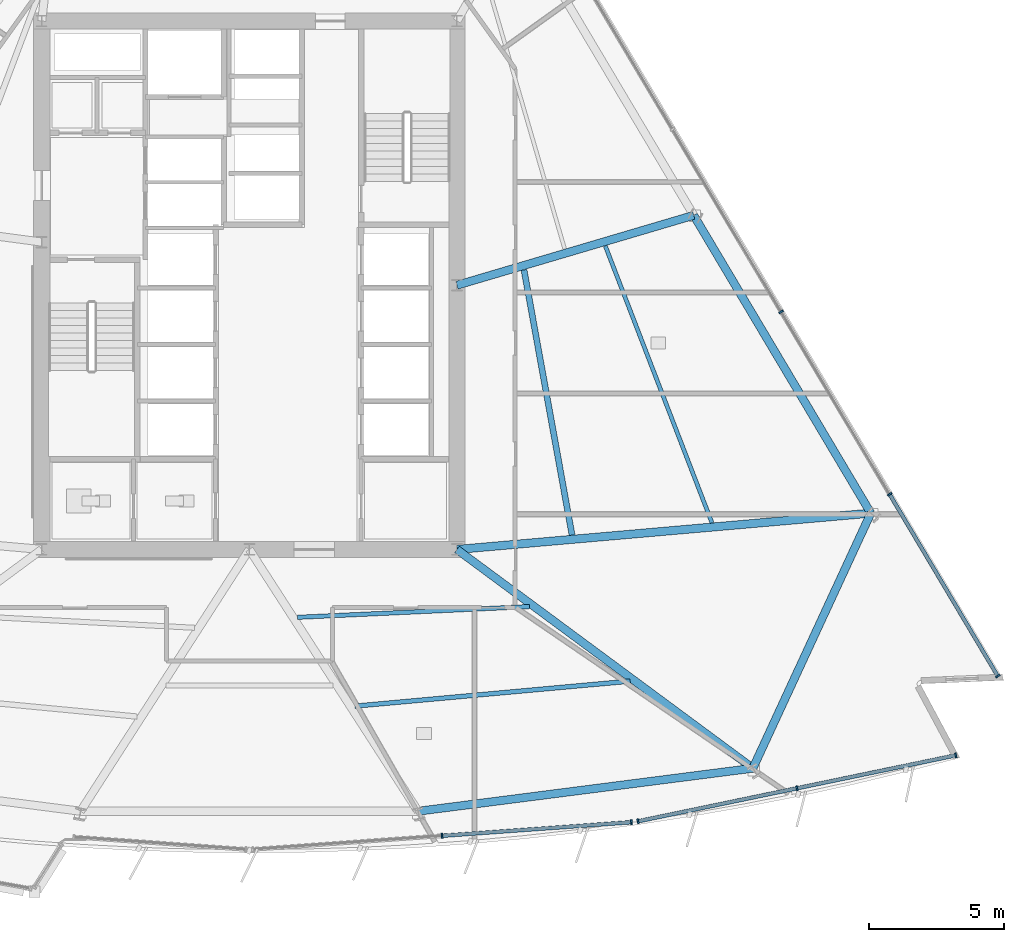
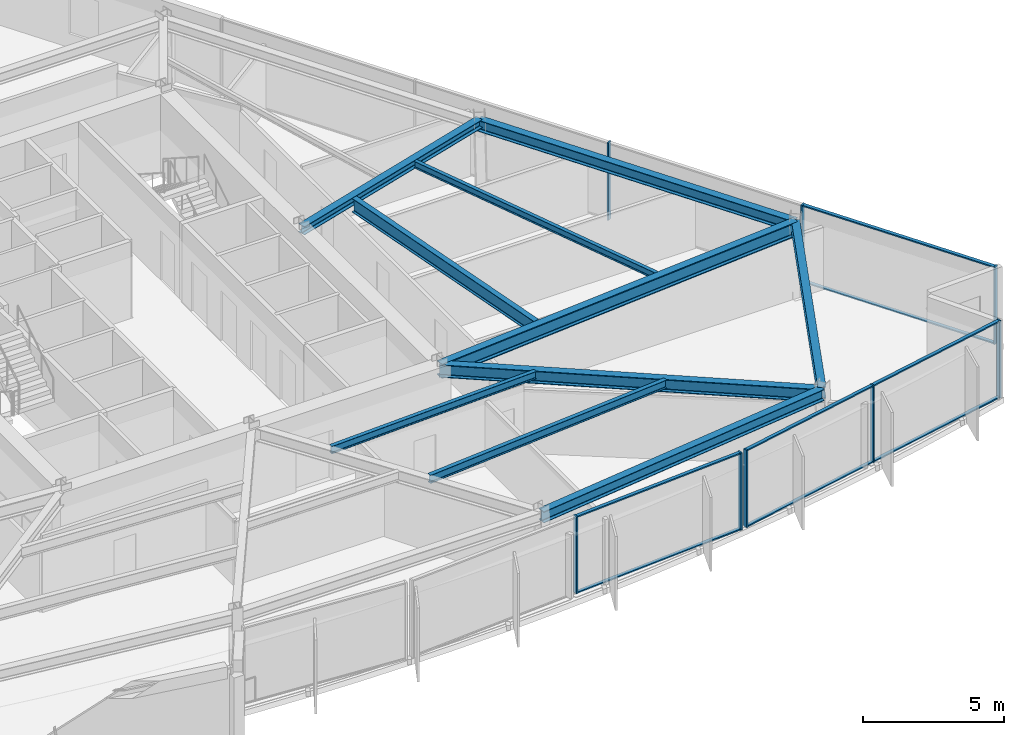
# One storey, part 4 of 15: 16 members, 10 beams, 3 elements without a shape of their own.
"""IFC4 building model written with IfcOpenShell, lengths in metres."""

import ifcopenshell
import ifcopenshell.guid

model = None  # the IFC model being written
_history = None  # IfcOwnerHistory: only IFC2X3 demands one
_inside = {}  # id of a spatial element -> (the spatial element, [elements in it])
_under = {}  # id of a project, library or spatial element -> (it, [spatial elements below it])
_declared = {}  # id of a project -> (the project, [libraries it declares])
_typed = {}  # id of a type object -> (the type object, [elements of that type])
_made_of = {}  # id of a material, layer set ... -> (it, [elements and type objects made of it])


def new_model(schema):
    """Start an empty IFC model of exactly this schema.

    Asked for "IFC4X3", IfcOpenShell would pick the latest addendum, in which some entities
    have other attributes; the version numbers below select the first issue.
    IFC2X3 requires an IfcOwnerHistory on every rooted entity: one is made here for all.
    """
    global model, _history
    if schema == "IFC4X3":
        model = ifcopenshell.file(schema_version=(4, 3, 0, 0))
    else:
        model = ifcopenshell.file(schema=schema)
    _inside.clear()
    _under.clear()
    _declared.clear()
    _typed.clear()
    _made_of.clear()
    _history = None
    if model.schema == "IFC2X3":
        org = make("IfcOrganization", Name="unknown")
        user = make(
            "IfcPersonAndOrganization",
            ThePerson=make("IfcPerson", FamilyName="unknown"),
            TheOrganization=org,
        )
        app = make(
            "IfcApplication",
            ApplicationDeveloper=org,
            Version="unknown",
            ApplicationFullName="unknown",
            ApplicationIdentifier="unknown",
        )
        _history = make(
            "IfcOwnerHistory",
            OwningUser=user,
            OwningApplication=app,
            ChangeAction="ADDED",
            CreationDate=0,
        )
    return model


def make(cls, **values):
    """One entity of the class cls with the attributes given. An attribute that is None is left unset."""
    return model.create_entity(
        cls, **{name: value for name, value in values.items() if value is not None}
    )


def rooted(cls, **values):
    """An entity with a GlobalId (a new one), such as an element, a storey or a relation."""
    return make(cls, GlobalId=ifcopenshell.guid.new(), OwnerHistory=_history, **values)


def si_unit(unit_type, name, prefix=None):
    """IfcSIUnit, for example si_unit("LENGTHUNIT", "METRE", prefix="MILLI")."""
    return make("IfcSIUnit", UnitType=unit_type, Prefix=prefix, Name=name)


def assignment(units):
    """IfcUnitAssignment: the units of a project."""
    return None if units is None else make("IfcUnitAssignment", Units=units)


def point(xyz):
    """IfcCartesianPoint."""
    return None if xyz is None else make("IfcCartesianPoint", Coordinates=xyz)


def direction(xyz):
    """IfcDirection."""
    return None if xyz is None else make("IfcDirection", DirectionRatios=xyz)


def frame(location, z_axis=None, x_axis=None):
    """IfcAxis2Placement3D, a coordinate frame: its origin and axes. An axis left out is left unset."""
    return make(
        "IfcAxis2Placement3D",
        Location=point(location),
        Axis=direction(z_axis),
        RefDirection=direction(x_axis),
    )


def frame_2d(location, x_axis=None):
    """IfcAxis2Placement2D, a coordinate frame in the plane: its origin and x axis."""
    return make(
        "IfcAxis2Placement2D", Location=point(location), RefDirection=direction(x_axis)
    )


def origin():
    """The frame at (0, 0, 0) with its axes left unset."""
    return frame((0.0, 0.0, 0.0))


def origin_2d():
    """The frame at (0, 0) in the plane with its x axis left unset."""
    return frame_2d((0.0, 0.0))


def place(relative_to, where):
    """IfcLocalPlacement: puts the frame where relative to a parent placement (None: the world)."""
    return make(
        "IfcLocalPlacement", PlacementRelTo=relative_to, RelativePlacement=where
    )


def context(
    kind, dimensions, precision=None, world=None, true_north=None, identifier=None
):
    """IfcGeometricRepresentationContext, for example the 3D "Model" context."""
    return make(
        "IfcGeometricRepresentationContext",
        ContextIdentifier=identifier,
        ContextType=kind,
        CoordinateSpaceDimension=dimensions,
        Precision=precision,
        WorldCoordinateSystem=world,
        TrueNorth=true_north,
    )


def subcontext(parent, identifier, kind, view, scale=None):
    """IfcGeometricRepresentationSubContext, for example "Body" below "Model"."""
    return make(
        "IfcGeometricRepresentationSubContext",
        ContextIdentifier=identifier,
        ContextType=kind,
        ParentContext=parent,
        TargetScale=scale,
        TargetView=view,
    )


def project(units=None, contexts=None):
    """IfcProject with its units and contexts."""
    return rooted(
        "IfcProject",
        Name="project",
        RepresentationContexts=contexts,
        UnitsInContext=assignment(units),
    )


def spatial(cls, under=None, at=None, **own):
    """A site, building, storey or space (cls), placed at a placement, below another one or the project."""
    s = rooted(cls, ObjectPlacement=at, **own)
    if under is not None:
        _under.setdefault(under.id(), (under, []))[1].append(s)
    return s


def profile(cls, at=None, kind="AREA", **sizes):
    """A parametric profile (cls). Its sizes go by their IFC names, for example OverallWidth=200.0."""
    return make(cls, ProfileType=kind, Position=at, **sizes)


def rectangle(**sizes):
    """IfcRectangleProfileDef."""
    return profile("IfcRectangleProfileDef", **sizes)


def i_section(**sizes):
    """IfcIShapeProfileDef."""
    return profile("IfcIShapeProfileDef", **sizes)


def extrude(swept, where, along, depth):
    """IfcExtrudedAreaSolid: the profile swept, set in the frame where, extruded along a direction by depth."""
    return make(
        "IfcExtrudedAreaSolid",
        SweptArea=swept,
        Position=where,
        ExtrudedDirection=direction(along),
        Depth=depth,
    )


def shape(context_of_items, identifier, shape_type, items):
    """IfcShapeRepresentation: the items that make up one representation, for example the "Body"."""
    return make(
        "IfcShapeRepresentation",
        ContextOfItems=context_of_items,
        RepresentationIdentifier=identifier,
        RepresentationType=shape_type,
        Items=items,
    )


def material(Name=None, Category=None):
    """IfcMaterial."""
    return make("IfcMaterial", Name=Name, Category=Category)


def material_profile(
    of_material, cross_section, Name=None, Category=None, Priority=None
):
    """IfcMaterialProfile: a cross section and its material."""
    return make(
        "IfcMaterialProfile",
        Name=Name,
        Material=of_material,
        Profile=cross_section,
        Priority=Priority,
        Category=Category,
    )


def profile_set(profiles, Name=None, composite=None):
    """IfcMaterialProfileSet."""
    return make(
        "IfcMaterialProfileSet",
        Name=Name,
        MaterialProfiles=profiles,
        CompositeProfile=composite,
    )


def made_of(thing, what):
    """Note that an element or type object is made of a material, layer set ...; save() writes the relation."""
    if what is not None:
        _made_of.setdefault(what.id(), (what, []))[1].append(thing)
    return thing


def type_object(cls, material=None, **own):
    """A type object (cls), such as IfcWallType, which elements share."""
    return made_of(rooted(cls, **own), material)


def element(
    cls,
    number,
    at=None,
    inside=None,
    cuts=None,
    type_object=None,
    material=None,
    context=None,
    identifier="Body",
    shape_type=None,
    held_by="IfcProductDefinitionShape",
    body=None,
    shapes=None,
    **own,
):
    """One element of the class cls, such as IfcWall. Its Tag is "e" and its number.

    at: its placement. inside: the storey or other place that contains it. cuts: it is an
    opening in that element (IfcRelVoidsElement). A single representation is given by context,
    identifier, shape_type and body (its items); several are given by shapes. held_by: the class
    of the entity that holds the representations. save() writes the other relations.
    """
    e = rooted(cls, Tag="e%d" % number, ObjectPlacement=at, **own)
    if body is not None:
        shapes = [shape(context, identifier, shape_type, body)]
    if shapes is not None:
        e.Representation = make(held_by, Representations=shapes)
    if inside is not None:
        _inside.setdefault(inside.id(), (inside, []))[1].append(e)
    if cuts is not None:
        rooted(
            "IfcRelVoidsElement", RelatingBuildingElement=cuts, RelatedOpeningElement=e
        )
    if type_object is not None:
        _typed.setdefault(type_object.id(), (type_object, []))[1].append(e)
    return made_of(e, material)


def aggregate(whole, parts):
    """IfcRelAggregates: a whole, such as a stair, and the parts it consists of."""
    return rooted("IfcRelAggregates", RelatingObject=whole, RelatedObjects=parts)


def save(model, path):
    """Write the relations noted so far, then the file.

    IfcRelAggregates (storeys below a building ...), IfcRelContainedInSpatialStructure (elements
    in a storey), IfcRelDefinesByType, IfcRelAssociatesMaterial and IfcRelDeclares: one each for
    every whole, place, type object, material and project.
    """
    for whole, parts in _under.values():
        aggregate(whole, parts)
    for where, things in _inside.values():
        rooted(
            "IfcRelContainedInSpatialStructure",
            RelatedElements=things,
            RelatingStructure=where,
        )
    for kind, things in _typed.values():
        rooted("IfcRelDefinesByType", RelatedObjects=things, RelatingType=kind)
    for what, things in _made_of.values():
        rooted("IfcRelAssociatesMaterial", RelatedObjects=things, RelatingMaterial=what)
    for by, libraries in _declared.values():
        rooted("IfcRelDeclares", RelatingContext=by, RelatedDefinitions=libraries)
    model.write(path)


model = new_model("IFC4")

# Units and contexts
model_context = context("Model", 3, precision=1e-05, world=origin(), true_north=direction((0.0, 1.0)))
body_context = subcontext(model_context, "Body", "Model", "MODEL_VIEW")
ifc_project = project(units=[si_unit("LENGTHUNIT", "METRE"), si_unit("AREAUNIT", "SQUARE_METRE"), si_unit("VOLUMEUNIT", "CUBIC_METRE"), si_unit("PLANEANGLEUNIT", "RADIAN"), si_unit("MASSUNIT", "GRAM", prefix="KILO")], contexts=[model_context])

# Site, building, storey
site_placement = place(None, origin())
site = spatial("IfcSite", under=ifc_project, at=site_placement, CompositionType="ELEMENT")
building_placement = place(site_placement, origin())
building = spatial("IfcBuilding", under=site, at=building_placement, Name="Savorim Split Tower", CompositionType="ELEMENT")
storey_placement = place(building_placement, frame((0.0, 0.0, 107.699951171875)))
storey = spatial("IfcBuildingStorey", under=building, at=storey_placement, Name="L28", CompositionType="ELEMENT", Elevation=107.699951171875)

# Beams
ifc_material_1 = material(Name="Steel S355", Category="steel")
ifc_material_profile_1 = material_profile(ifc_material_1, i_section(OverallWidth=0.14990234375, OverallDepth=0.300048828125, WebThickness=0.007080078125, FlangeThickness=0.0107421875, FilletRadius=0.014892578125, at=origin_2d()), Name="IPE 300")
ifc_profile_set_1 = profile_set([ifc_material_profile_1], Name="Steel S355")
beam_type_1 = type_object("IfcBeamType", Name="BM-JST-IPE300", PredefinedType="JOIST", material=ifc_profile_set_1)
beam_1_placement = place(storey_placement, frame((17.15966796875, -8.416015625, 3.199951171875), z_axis=(-0.359439659309, 0.933168329572, 0.0), x_axis=(-0.933168329572, -0.359439659309, 0.0)))
element("IfcBeam", 1, at=beam_1_placement, inside=storey, type_object=beam_type_1, Name="L28 Secondary Floor Joist JS-06", PredefinedType="JOIST", context=body_context, shape_type="SweptSolid", body=[
    extrude(i_section(OverallWidth=0.14990234375, OverallDepth=0.300048828125, WebThickness=0.007080078125, FlangeThickness=0.0107421875, FilletRadius=0.014892578125, at=origin_2d()), origin(), (0.0, 0.0, 1.0), 11.01025390625),
])
ifc_material_profile_2 = material_profile(ifc_material_1, i_section(OverallWidth=0.159912109375, OverallDepth=0.330078125, WebThickness=0.007568359375, FlangeThickness=0.011474609375, FilletRadius=0.01806640625, at=origin_2d()), Name="IPE 330")
ifc_profile_set_2 = profile_set([ifc_material_profile_2], Name="Steel S355")
beam_type_2 = type_object("IfcBeamType", Name="BM-JST-IPE330", PredefinedType="JOIST", material=ifc_profile_set_2)
beam_2_placement = place(storey_placement, frame((1.787109375, -11.916748046875, 3.18505859375), z_axis=(0.998923600347, 0.046385780892, 0.0), x_axis=(-0.046385780892, 0.998923600347, 0.0)))
element("IfcBeam", 2, at=beam_2_placement, inside=storey, type_object=beam_type_2, Name="L28 Secondary Floor Joist JS-05", PredefinedType="JOIST", context=body_context, shape_type="SweptSolid", body=[
    extrude(i_section(OverallWidth=0.159912109375, OverallDepth=0.330078125, WebThickness=0.007568359375, FlangeThickness=0.011474609375, FilletRadius=0.01806640625, at=origin_2d()), origin(), (0.0, 0.0, 1.0), 8.615966796875),
])
ifc_material_profile_3 = material_profile(ifc_material_1, i_section(OverallWidth=0.169921875, OverallDepth=0.360107421875, WebThickness=0.008056640625, FlangeThickness=0.0126953125, FilletRadius=0.01806640625, at=origin_2d()), Name="IPE 360")
ifc_profile_set_3 = profile_set([ifc_material_profile_3], Name="Steel S355")
beam_type_3 = type_object("IfcBeamType", Name="BM-JST-IPE360", PredefinedType="JOIST", material=ifc_profile_set_3)
beam_3_placement = place(storey_placement, frame((3.914794921875, -15.21044921875, 3.170166015625), z_axis=(0.995902179768, 0.090436985433, 0.0), x_axis=(-0.090436985433, 0.995902179768, 0.0)))
element("IfcBeam", 3, at=beam_3_placement, inside=storey, type_object=beam_type_3, Name="L28 Secondary Floor Joist JS-04", PredefinedType="JOIST", context=body_context, shape_type="SweptSolid", body=[
    extrude(i_section(OverallWidth=0.169921875, OverallDepth=0.360107421875, WebThickness=0.008056640625, FlangeThickness=0.0126953125, FilletRadius=0.01806640625, at=origin_2d()), origin(), (0.0, 0.0, 1.0), 10.2529296875),
])
ifc_material_profile_4 = material_profile(ifc_material_1, i_section(OverallWidth=0.219970703125, OverallDepth=0.60009765625, WebThickness=0.011962890625, FlangeThickness=0.01904296875, FilletRadius=0.02392578125, at=origin_2d()), Name="IPE 600")
ifc_profile_set_4 = profile_set([ifc_material_profile_4], Name="Steel S355")
beam_type_4 = type_object("IfcBeamType", Name="BM-JST-IPE600", PredefinedType="JOIST", material=ifc_profile_set_4)
beam_4_placement = place(storey_placement, frame((11.969482421875, -8.86572265625, 3.050048828125), z_axis=(-0.178298552777, 0.983976435733, 0.0), x_axis=(-0.983976435733, -0.178298552777, 0.0)))
element("IfcBeam", 4, at=beam_4_placement, inside=storey, type_object=beam_type_4, Name="L28 Secondary Floor Joist JS-08", PredefinedType="JOIST", context=body_context, shape_type="SweptSolid", body=[
    extrude(i_section(OverallWidth=0.219970703125, OverallDepth=0.60009765625, WebThickness=0.011962890625, FlangeThickness=0.01904296875, FilletRadius=0.02392578125, at=origin_2d()), origin(), (0.0, 0.0, 1.0), 9.994384765625),
])
ifc_material_profile_5 = material_profile(ifc_material_1, i_section(OverallWidth=0.300048828125, OverallDepth=0.360107421875, WebThickness=0.012451171875, FlangeThickness=0.0224609375, FilletRadius=0.027099609375, at=origin_2d()), Name="HEB 360")
ifc_profile_set_5 = profile_set([ifc_material_profile_5], Name="Steel S355")
beam_type_5 = type_object("IfcBeamType", Name="BM-PRI-HEB360", PredefinedType="BEAM", material=ifc_profile_set_5)
beam_5_placement = place(storey_placement, frame((16.481689453125, 2.992919921875, 3.170166015625), z_axis=(-0.959064788728, -0.283186742315, 0.0), x_axis=(0.283186742315, -0.959064788728, 0.0)))
element("IfcBeam", 5, at=beam_5_placement, inside=storey, type_object=beam_type_5, Name="L28 Primary Floor Girder RG-06", PredefinedType="BEAM", context=body_context, shape_type="SweptSolid", body=[
    extrude(i_section(OverallWidth=0.300048828125, OverallDepth=0.360107421875, WebThickness=0.012451171875, FlangeThickness=0.0224609375, FilletRadius=0.027099609375, at=origin_2d()), origin(), (0.0, 0.0, 1.0), 9.156494140625),
])
ifc_material_profile_6 = material_profile(ifc_material_1, i_section(OverallWidth=0.300048828125, OverallDepth=0.550048828125, WebThickness=0.014892578125, FlangeThickness=0.029052734375, FilletRadius=0.027099609375, at=origin_2d()), Name="HEB 550")
ifc_profile_set_6 = profile_set([ifc_material_profile_6], Name="Steel S355")
beam_type_6 = type_object("IfcBeamType", Name="BM-PRI-HEB550", PredefinedType="BEAM", material=ifc_profile_set_6)
beam_6_placement = place(storey_placement, frame((18.675048828125, -17.514404296875, 3.074951171875), z_axis=(-0.804089519027, 0.594508238286, 0.0), x_axis=(-0.594508238286, -0.804089519027, 0.0)))
element("IfcBeam", 6, at=beam_6_placement, inside=storey, type_object=beam_type_6, Name="L28 Primary Floor Girder RG-04", PredefinedType="BEAM", context=body_context, shape_type="SweptSolid", body=[
    extrude(i_section(OverallWidth=0.300048828125, OverallDepth=0.550048828125, WebThickness=0.014892578125, FlangeThickness=0.029052734375, FilletRadius=0.027099609375, at=origin_2d()), origin(), (0.0, 0.0, 1.0), 13.649169921875),
])
ifc_material_2 = material(Name="Steel S460", Category="steel")
ifc_material_profile_7 = material_profile(ifc_material_2, i_section(OverallWidth=0.304931640625, OverallDepth=0.6201171875, WebThickness=0.02099609375, FlangeThickness=0.0400390625, FilletRadius=0.027099609375, at=origin_2d()), Name="HE 600 M")
ifc_profile_set_7 = profile_set([ifc_material_profile_7], Name="Steel S460")
beam_type_7 = type_object("IfcBeamType", Name="BM-PRI-HEM600", PredefinedType="BEAM", material=ifc_profile_set_7)
beam_7_placement = place(storey_placement, frame((23.05029296875, -8.053955078125, 3.0400390625), z_axis=(-0.996177965577, -0.087346785276, 0.0), x_axis=(0.087346785276, -0.996177965577, 0.0)))
element("IfcBeam", 7, at=beam_7_placement, inside=storey, type_object=beam_type_7, Name="L28 Primary Floor Girder RG-05", PredefinedType="BEAM", context=body_context, shape_type="SweptSolid", body=[
    extrude(i_section(OverallWidth=0.304931640625, OverallDepth=0.6201171875, WebThickness=0.02099609375, FlangeThickness=0.0400390625, FilletRadius=0.027099609375, at=origin_2d()), origin(), (0.0, 0.0, 1.0), 15.4091796875),
])
ifc_material_profile_8 = material_profile(ifc_material_1, i_section(OverallWidth=0.300048828125, OverallDepth=0.489990234375, WebThickness=0.011962890625, FlangeThickness=0.02294921875, FilletRadius=0.027099609375, at=origin_2d()), Name="HEA 500")
ifc_profile_set_8 = profile_set([ifc_material_profile_8], Name="Steel S355")
beam_type_8 = type_object("IfcBeamType", Name="BM-SPN-HEA500", PredefinedType="SPANDREL", material=ifc_profile_set_8)
beam_8_placement = place(storey_placement, frame((6.259033203125, -19.1083984375, 3.10498046875), z_axis=(0.991859509756, 0.127337005254, 0.0), x_axis=(-0.127337005254, 0.991859509756, 0.0)))
element("IfcBeam", 8, at=beam_8_placement, inside=storey, type_object=beam_type_8, Name="L28 Perimeter Spandrel Beam 3", PredefinedType="SPANDREL", context=body_context, shape_type="SweptSolid", body=[
    extrude(i_section(OverallWidth=0.300048828125, OverallDepth=0.489990234375, WebThickness=0.011962890625, FlangeThickness=0.02294921875, FilletRadius=0.027099609375, at=origin_2d()), origin(), (0.0, 0.0, 1.0), 12.517822265625),
])
beam_9_placement = place(storey_placement, frame((18.675048828125, -17.514404296875, 3.10498046875), z_axis=(0.419760622793, 0.907634849239, 0.0), x_axis=(-0.907634849239, 0.419760622793, 0.0)))
element("IfcBeam", 9, at=beam_9_placement, inside=storey, type_object=beam_type_8, Name="L28 Perimeter Spandrel Beam 4", PredefinedType="SPANDREL", context=body_context, shape_type="SweptSolid", body=[
    extrude(i_section(OverallWidth=0.300048828125, OverallDepth=0.489990234375, WebThickness=0.011962890625, FlangeThickness=0.02294921875, FilletRadius=0.027099609375, at=origin_2d()), origin(), (0.0, 0.0, 1.0), 10.423095703125),
])
beam_10_placement = place(storey_placement, frame((23.05029296875, -8.053955078125, 3.10498046875), z_axis=(-0.511086392656, 0.859529347516, 0.0), x_axis=(-0.859529347516, -0.511086392656, 0.0)))
element("IfcBeam", 10, at=beam_10_placement, inside=storey, type_object=beam_type_8, Name="L28 Perimeter Spandrel Beam 5", PredefinedType="SPANDREL", context=body_context, shape_type="SweptSolid", body=[
    extrude(i_section(OverallWidth=0.300048828125, OverallDepth=0.489990234375, WebThickness=0.011962890625, FlangeThickness=0.02294921875, FilletRadius=0.027099609375, at=origin_2d()), origin(), (0.0, 0.0, 1.0), 12.852294921875),
])

# Curtain wall, members
ifc_material_3 = material(Name="Dark Ceramic-Fritted Insulated Glass", Category="glass")
curtain_wall_type = type_object("IfcCurtainWallType", Name="CW-TWR-FRIT-A", PredefinedType="NOTDEFINED", material=ifc_material_3)
curtain_wall_1_placement = place(storey_placement, origin())
curtain_wall_1 = element("IfcCurtainWall", 11, at=curtain_wall_1_placement, inside=storey, type_object=curtain_wall_type, Name="L28 Curtain Wall CW-L28-SF3A", PredefinedType="NOTDEFINED")
ifc_material_4 = material(Name="Charcoal Anodised Aluminium", Category="aluminium")
ifc_material_profile_9 = material_profile(ifc_material_4, rectangle(XDim=0.179931640625, YDim=0.06494140625, at=origin_2d()), Name="ALU-M 180x65")
ifc_profile_set_9 = profile_set([ifc_material_profile_9], Name="Charcoal Anodised Aluminium")
member_type_1 = type_object("IfcMemberType", Name="CWM-180x65", PredefinedType="MULLION", material=ifc_profile_set_9)
member_1_placement = place(storey_placement, frame((7.14697265625, -20.018310546875, 0.0), z_axis=(0.0, 0.0, 1.0), x_axis=(-0.071558982453, 0.997436369916, 0.0)))
member_1 = element("IfcMember", 12, at=member_1_placement, type_object=member_type_1, Name="CW-02 mullion 2", PredefinedType="MULLION", context=body_context, shape_type="SweptSolid", body=[
    extrude(rectangle(XDim=0.179931640625, YDim=0.06494140625, at=origin_2d()), origin(), (0.0, 0.0, 1.0), 3.35009765625),
])
member_2_placement = place(storey_placement, frame((14.170166015625, -19.514404296875, 0.0), z_axis=(0.0, 0.0, 1.0), x_axis=(-0.071558982453, 0.997436369916, 0.0)))
member_2 = element("IfcMember", 13, at=member_2_placement, type_object=member_type_1, Name="CW-02 mullion 3", PredefinedType="MULLION", context=body_context, shape_type="SweptSolid", body=[
    extrude(rectangle(XDim=0.179931640625, YDim=0.06494140625, at=origin_2d()), origin(), (0.0, 0.0, 1.0), 3.35009765625),
])

curtain_wall_2_placement = place(storey_placement, origin())
curtain_wall_2 = element("IfcCurtainWall", 14, at=curtain_wall_2_placement, inside=storey, type_object=curtain_wall_type, Name="L28 Curtain Wall CW-L28-SF4A", PredefinedType="NOTDEFINED")
member_3_placement = place(storey_placement, frame((14.416259765625, -19.47998046875, 0.0), z_axis=(0.0, 0.0, 1.0), x_axis=(-0.203216307351, 0.979133868491, 0.0)))
member_3 = element("IfcMember", 15, at=member_3_placement, type_object=member_type_1, Name="CW-02 mullion 1", PredefinedType="MULLION", context=body_context, shape_type="SweptSolid", body=[
    extrude(rectangle(XDim=0.179931640625, YDim=0.06494140625, at=origin_2d()), origin(), (0.0, 0.0, 1.0), 3.35009765625),
])
member_4_placement = place(storey_placement, frame((20.30859375, -18.257080078125, 0.0), z_axis=(0.0, 0.0, 1.0), x_axis=(-0.203216307351, 0.979133868491, 0.0)))
member_4 = element("IfcMember", 16, at=member_4_placement, type_object=member_type_1, Name="CW-02 mullion 2", PredefinedType="MULLION", context=body_context, shape_type="SweptSolid", body=[
    extrude(rectangle(XDim=0.179931640625, YDim=0.06494140625, at=origin_2d()), origin(), (0.0, 0.0, 1.0), 3.35009765625),
])
member_5_placement = place(storey_placement, frame((26.201171875, -17.0341796875, 0.0), z_axis=(0.0, 0.0, 1.0), x_axis=(-0.203216307351, 0.979133868491, 0.0)))
member_5 = element("IfcMember", 17, at=member_5_placement, type_object=member_type_1, Name="CW-02 mullion 3", PredefinedType="MULLION", context=body_context, shape_type="SweptSolid", body=[
    extrude(rectangle(XDim=0.179931640625, YDim=0.06494140625, at=origin_2d()), origin(), (0.0, 0.0, 1.0), 3.35009765625),
])

curtain_wall_3_placement = place(storey_placement, origin())
curtain_wall_3 = element("IfcCurtainWall", 18, at=curtain_wall_3_placement, inside=storey, type_object=curtain_wall_type, Name="L28 Curtain Wall CW-L28-EAST", PredefinedType="NOTDEFINED")
member_6_placement = place(storey_placement, frame((27.75634765625, -14.09765625, 0.0), z_axis=(0.0, 0.0, 1.0), x_axis=(-0.859525409745, -0.51109301502, 0.0)))
member_6 = element("IfcMember", 19, at=member_6_placement, type_object=member_type_1, Name="CW-02 mullion 1", PredefinedType="MULLION", context=body_context, shape_type="SweptSolid", body=[
    extrude(rectangle(XDim=0.179931640625, YDim=0.06494140625, at=origin_2d()), origin(), (0.0, 0.0, 1.0), 3.35009765625),
])
member_7_placement = place(storey_placement, frame((23.748046875, -7.356689453125, 0.0), z_axis=(0.0, 0.0, 1.0), x_axis=(-0.859525409745, -0.51109301502, 0.0)))
member_7 = element("IfcMember", 20, at=member_7_placement, type_object=member_type_1, Name="CW-02 mullion 2", PredefinedType="MULLION", context=body_context, shape_type="SweptSolid", body=[
    extrude(rectangle(XDim=0.179931640625, YDim=0.06494140625, at=origin_2d()), origin(), (0.0, 0.0, 1.0), 3.35009765625),
])
member_8_placement = place(storey_placement, frame((19.72314453125, -0.587890625, 0.0), z_axis=(0.0, 0.0, 1.0), x_axis=(-0.859525409745, -0.51109301502, 0.0)))
member_8 = element("IfcMember", 21, at=member_8_placement, type_object=member_type_1, Name="CW-02 mullion 3", PredefinedType="MULLION", context=body_context, shape_type="SweptSolid", body=[
    extrude(rectangle(XDim=0.179931640625, YDim=0.06494140625, at=origin_2d()), origin(), (0.0, 0.0, 1.0), 3.35009765625),
])

# Member
ifc_material_profile_10 = material_profile(ifc_material_4, rectangle(XDim=0.139892578125, YDim=0.054931640625, at=origin_2d()), Name="ALU-T 140x55")
ifc_profile_set_10 = profile_set([ifc_material_profile_10], Name="Charcoal Anodised Aluminium")
member_type_2 = type_object("IfcMemberType", Name="CWT-140x55", PredefinedType="USERDEFINED", material=ifc_profile_set_10)
member_9_placement = place(storey_placement, frame((7.179443359375, -20.015869140625, 0.027587890625), z_axis=(0.997435910974, 0.071565379199, 0.0), x_axis=(-0.071565379199, 0.997435910974, 0.0)))
member_9 = element("IfcMember", 22, at=member_9_placement, type_object=member_type_2, Name="CW-02 transom 2.1", ObjectType="TRANSOM", PredefinedType="USERDEFINED", context=body_context, shape_type="SweptSolid", body=[
    extrude(rectangle(XDim=0.139892578125, YDim=0.054931640625, at=origin_2d()), origin(), (0.0, 0.0, 1.0), 6.976318359375),
])

member_10_placement = place(storey_placement, frame((7.179443359375, -20.015869140625, 3.322509765625), z_axis=(0.997435910974, 0.071565379199, 0.0), x_axis=(-0.071565379199, 0.997435910974, 0.0)))
member_10 = element("IfcMember", 23, at=member_10_placement, type_object=member_type_2, Name="CW-02 transom 2.2", ObjectType="TRANSOM", PredefinedType="USERDEFINED", context=body_context, shape_type="SweptSolid", body=[
    extrude(rectangle(XDim=0.139892578125, YDim=0.054931640625, at=origin_2d()), origin(), (0.0, 0.0, 1.0), 6.976318359375),
])

aggregate(curtain_wall_1, [member_1, member_2, member_9, member_10])

member_11_placement = place(storey_placement, frame((14.4482421875, -19.473388671875, 0.027587890625), z_axis=(0.979133683494, 0.203217198698, 0.0), x_axis=(-0.203217198698, 0.979133683494, 0.0)))
member_11 = element("IfcMember", 24, at=member_11_placement, type_object=member_type_2, Name="CW-02 transom 1.1", ObjectType="TRANSOM", PredefinedType="USERDEFINED", context=body_context, shape_type="SweptSolid", body=[
    extrude(rectangle(XDim=0.139892578125, YDim=0.054931640625, at=origin_2d()), origin(), (0.0, 0.0, 1.0), 5.952880859375),
])

member_12_placement = place(storey_placement, frame((14.4482421875, -19.473388671875, 3.322509765625), z_axis=(0.979133683494, 0.203217198698, 0.0), x_axis=(-0.203217198698, 0.979133683494, 0.0)))
member_12 = element("IfcMember", 25, at=member_12_placement, type_object=member_type_2, Name="CW-02 transom 1.2", ObjectType="TRANSOM", PredefinedType="USERDEFINED", context=body_context, shape_type="SweptSolid", body=[
    extrude(rectangle(XDim=0.139892578125, YDim=0.054931640625, at=origin_2d()), origin(), (0.0, 0.0, 1.0), 5.952880859375),
])

member_13_placement = place(storey_placement, frame((20.340576171875, -18.25048828125, 0.027587890625), z_axis=(0.979133683494, 0.203217198698, 0.0), x_axis=(-0.203217198698, 0.979133683494, 0.0)))
member_13 = element("IfcMember", 26, at=member_13_placement, type_object=member_type_2, Name="CW-02 transom 2.1", ObjectType="TRANSOM", PredefinedType="USERDEFINED", context=body_context, shape_type="SweptSolid", body=[
    extrude(rectangle(XDim=0.139892578125, YDim=0.054931640625, at=origin_2d()), origin(), (0.0, 0.0, 1.0), 5.952880859375),
])

member_14_placement = place(storey_placement, frame((20.340576171875, -18.25048828125, 3.322509765625), z_axis=(0.979133683494, 0.203217198698, 0.0), x_axis=(-0.203217198698, 0.979133683494, 0.0)))
member_14 = element("IfcMember", 27, at=member_14_placement, type_object=member_type_2, Name="CW-02 transom 2.2", ObjectType="TRANSOM", PredefinedType="USERDEFINED", context=body_context, shape_type="SweptSolid", body=[
    extrude(rectangle(XDim=0.139892578125, YDim=0.054931640625, at=origin_2d()), origin(), (0.0, 0.0, 1.0), 5.952880859375),
])

aggregate(curtain_wall_2, [member_3, member_4, member_5, member_11, member_12, member_13, member_14])

member_15_placement = place(storey_placement, frame((27.73974609375, -14.069580078125, 0.027587890625), z_axis=(-0.511107986277, 0.859516507325, 0.0), x_axis=(-0.859516507325, -0.511107986277, 0.0)))
member_15 = element("IfcMember", 28, at=member_15_placement, type_object=member_type_2, Name="CW-02 transom 1.1", ObjectType="TRANSOM", PredefinedType="USERDEFINED", context=body_context, shape_type="SweptSolid", body=[
    extrude(rectangle(XDim=0.139892578125, YDim=0.054931640625, at=origin_2d()), origin(), (0.0, 0.0, 1.0), 7.77734375),
])

member_16_placement = place(storey_placement, frame((27.73974609375, -14.069580078125, 3.322509765625), z_axis=(-0.511107986277, 0.859516507325, 0.0), x_axis=(-0.859516507325, -0.511107986277, 0.0)))
member_16 = element("IfcMember", 29, at=member_16_placement, type_object=member_type_2, Name="CW-02 transom 1.2", ObjectType="TRANSOM", PredefinedType="USERDEFINED", context=body_context, shape_type="SweptSolid", body=[
    extrude(rectangle(XDim=0.139892578125, YDim=0.054931640625, at=origin_2d()), origin(), (0.0, 0.0, 1.0), 7.77734375),
])

aggregate(curtain_wall_3, [member_6, member_7, member_8, member_15, member_16])

save(model, "model.ifc")
